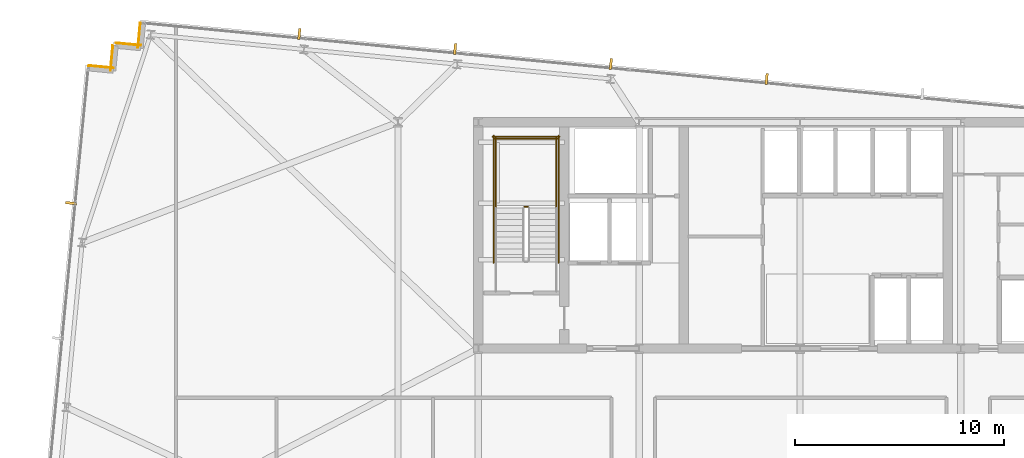
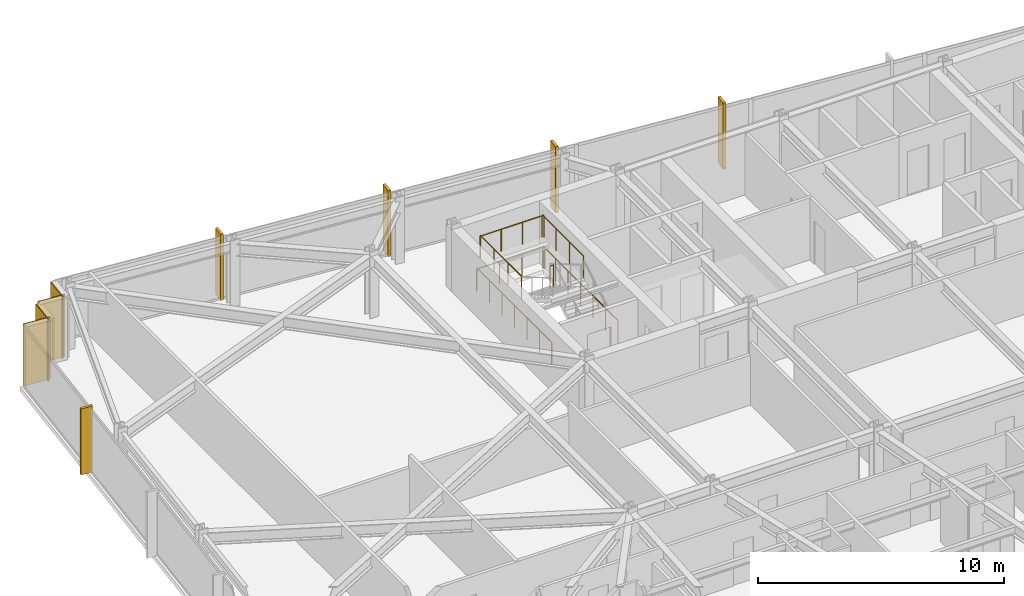
# One storey, part 36 of 37: 7 railings, 5 shading devices, 4 coverings.
"""IFC4 building model written with IfcOpenShell, lengths in metres."""

import ifcopenshell
import ifcopenshell.guid

model = None  # the IFC model being written
_history = None  # IfcOwnerHistory: only IFC2X3 demands one
_inside = {}  # id of a spatial element -> (the spatial element, [elements in it])
_under = {}  # id of a project, library or spatial element -> (it, [spatial elements below it])
_declared = {}  # id of a project -> (the project, [libraries it declares])
_typed = {}  # id of a type object -> (the type object, [elements of that type])
_made_of = {}  # id of a material, layer set ... -> (it, [elements and type objects made of it])


def new_model(schema):
    """Start an empty IFC model of exactly this schema.

    Asked for "IFC4X3", IfcOpenShell would pick the latest addendum, in which some entities
    have other attributes; the version numbers below select the first issue.
    IFC2X3 requires an IfcOwnerHistory on every rooted entity: one is made here for all.
    """
    global model, _history
    if schema == "IFC4X3":
        model = ifcopenshell.file(schema_version=(4, 3, 0, 0))
    else:
        model = ifcopenshell.file(schema=schema)
    _inside.clear()
    _under.clear()
    _declared.clear()
    _typed.clear()
    _made_of.clear()
    _history = None
    if model.schema == "IFC2X3":
        org = make("IfcOrganization", Name="unknown")
        user = make(
            "IfcPersonAndOrganization",
            ThePerson=make("IfcPerson", FamilyName="unknown"),
            TheOrganization=org,
        )
        app = make(
            "IfcApplication",
            ApplicationDeveloper=org,
            Version="unknown",
            ApplicationFullName="unknown",
            ApplicationIdentifier="unknown",
        )
        _history = make(
            "IfcOwnerHistory",
            OwningUser=user,
            OwningApplication=app,
            ChangeAction="ADDED",
            CreationDate=0,
        )
    return model


def make(cls, **values):
    """One entity of the class cls with the attributes given. An attribute that is None is left unset."""
    return model.create_entity(
        cls, **{name: value for name, value in values.items() if value is not None}
    )


def rooted(cls, **values):
    """An entity with a GlobalId (a new one), such as an element, a storey or a relation."""
    return make(cls, GlobalId=ifcopenshell.guid.new(), OwnerHistory=_history, **values)


def si_unit(unit_type, name, prefix=None):
    """IfcSIUnit, for example si_unit("LENGTHUNIT", "METRE", prefix="MILLI")."""
    return make("IfcSIUnit", UnitType=unit_type, Prefix=prefix, Name=name)


def assignment(units):
    """IfcUnitAssignment: the units of a project."""
    return None if units is None else make("IfcUnitAssignment", Units=units)


def point(xyz):
    """IfcCartesianPoint."""
    return None if xyz is None else make("IfcCartesianPoint", Coordinates=xyz)


def direction(xyz):
    """IfcDirection."""
    return None if xyz is None else make("IfcDirection", DirectionRatios=xyz)


def frame(location, z_axis=None, x_axis=None):
    """IfcAxis2Placement3D, a coordinate frame: its origin and axes. An axis left out is left unset."""
    return make(
        "IfcAxis2Placement3D",
        Location=point(location),
        Axis=direction(z_axis),
        RefDirection=direction(x_axis),
    )


def frame_2d(location, x_axis=None):
    """IfcAxis2Placement2D, a coordinate frame in the plane: its origin and x axis."""
    return make(
        "IfcAxis2Placement2D", Location=point(location), RefDirection=direction(x_axis)
    )


def origin():
    """The frame at (0, 0, 0) with its axes left unset."""
    return frame((0.0, 0.0, 0.0))


def origin_2d():
    """The frame at (0, 0) in the plane with its x axis left unset."""
    return frame_2d((0.0, 0.0))


def place(relative_to, where):
    """IfcLocalPlacement: puts the frame where relative to a parent placement (None: the world)."""
    return make(
        "IfcLocalPlacement", PlacementRelTo=relative_to, RelativePlacement=where
    )


def context(
    kind, dimensions, precision=None, world=None, true_north=None, identifier=None
):
    """IfcGeometricRepresentationContext, for example the 3D "Model" context."""
    return make(
        "IfcGeometricRepresentationContext",
        ContextIdentifier=identifier,
        ContextType=kind,
        CoordinateSpaceDimension=dimensions,
        Precision=precision,
        WorldCoordinateSystem=world,
        TrueNorth=true_north,
    )


def subcontext(parent, identifier, kind, view, scale=None):
    """IfcGeometricRepresentationSubContext, for example "Body" below "Model"."""
    return make(
        "IfcGeometricRepresentationSubContext",
        ContextIdentifier=identifier,
        ContextType=kind,
        ParentContext=parent,
        TargetScale=scale,
        TargetView=view,
    )


def project(units=None, contexts=None):
    """IfcProject with its units and contexts."""
    return rooted(
        "IfcProject",
        Name="project",
        RepresentationContexts=contexts,
        UnitsInContext=assignment(units),
    )


def spatial(cls, under=None, at=None, **own):
    """A site, building, storey or space (cls), placed at a placement, below another one or the project."""
    s = rooted(cls, ObjectPlacement=at, **own)
    if under is not None:
        _under.setdefault(under.id(), (under, []))[1].append(s)
    return s


def profile(cls, at=None, kind="AREA", **sizes):
    """A parametric profile (cls). Its sizes go by their IFC names, for example OverallWidth=200.0."""
    return make(cls, ProfileType=kind, Position=at, **sizes)


def rectangle(**sizes):
    """IfcRectangleProfileDef."""
    return profile("IfcRectangleProfileDef", **sizes)


def circle(**sizes):
    """IfcCircleProfileDef."""
    return profile("IfcCircleProfileDef", **sizes)


def extrude(swept, where, along, depth):
    """IfcExtrudedAreaSolid: the profile swept, set in the frame where, extruded along a direction by depth."""
    return make(
        "IfcExtrudedAreaSolid",
        SweptArea=swept,
        Position=where,
        ExtrudedDirection=direction(along),
        Depth=depth,
    )


def shape(context_of_items, identifier, shape_type, items):
    """IfcShapeRepresentation: the items that make up one representation, for example the "Body"."""
    return make(
        "IfcShapeRepresentation",
        ContextOfItems=context_of_items,
        RepresentationIdentifier=identifier,
        RepresentationType=shape_type,
        Items=items,
    )


def material(Name=None, Category=None):
    """IfcMaterial."""
    return make("IfcMaterial", Name=Name, Category=Category)


def layer(
    of_material, thickness, ventilated=None, Name=None, Category=None, Priority=None
):
    """IfcMaterialLayer: one layer of a wall or slab, of a material (None: an air gap)."""
    return make(
        "IfcMaterialLayer",
        Material=of_material,
        LayerThickness=thickness,
        IsVentilated=ventilated,
        Name=Name,
        Category=Category,
        Priority=Priority,
    )


def layer_set(layers, Name=None):
    """IfcMaterialLayerSet."""
    return make("IfcMaterialLayerSet", MaterialLayers=layers, LayerSetName=Name)


def made_of(thing, what):
    """Note that an element or type object is made of a material, layer set ...; save() writes the relation."""
    if what is not None:
        _made_of.setdefault(what.id(), (what, []))[1].append(thing)
    return thing


def type_object(cls, material=None, **own):
    """A type object (cls), such as IfcWallType, which elements share."""
    return made_of(rooted(cls, **own), material)


def element(
    cls,
    number,
    at=None,
    inside=None,
    cuts=None,
    type_object=None,
    material=None,
    context=None,
    identifier="Body",
    shape_type=None,
    held_by="IfcProductDefinitionShape",
    body=None,
    shapes=None,
    **own,
):
    """One element of the class cls, such as IfcWall. Its Tag is "e" and its number.

    at: its placement. inside: the storey or other place that contains it. cuts: it is an
    opening in that element (IfcRelVoidsElement). A single representation is given by context,
    identifier, shape_type and body (its items); several are given by shapes. held_by: the class
    of the entity that holds the representations. save() writes the other relations.
    """
    e = rooted(cls, Tag="e%d" % number, ObjectPlacement=at, **own)
    if body is not None:
        shapes = [shape(context, identifier, shape_type, body)]
    if shapes is not None:
        e.Representation = make(held_by, Representations=shapes)
    if inside is not None:
        _inside.setdefault(inside.id(), (inside, []))[1].append(e)
    if cuts is not None:
        rooted(
            "IfcRelVoidsElement", RelatingBuildingElement=cuts, RelatedOpeningElement=e
        )
    if type_object is not None:
        _typed.setdefault(type_object.id(), (type_object, []))[1].append(e)
    return made_of(e, material)


def aggregate(whole, parts):
    """IfcRelAggregates: a whole, such as a stair, and the parts it consists of."""
    return rooted("IfcRelAggregates", RelatingObject=whole, RelatedObjects=parts)


def save(model, path):
    """Write the relations noted so far, then the file.

    IfcRelAggregates (storeys below a building ...), IfcRelContainedInSpatialStructure (elements
    in a storey), IfcRelDefinesByType, IfcRelAssociatesMaterial and IfcRelDeclares: one each for
    every whole, place, type object, material and project.
    """
    for whole, parts in _under.values():
        aggregate(whole, parts)
    for where, things in _inside.values():
        rooted(
            "IfcRelContainedInSpatialStructure",
            RelatedElements=things,
            RelatingStructure=where,
        )
    for kind, things in _typed.values():
        rooted("IfcRelDefinesByType", RelatedObjects=things, RelatingType=kind)
    for what, things in _made_of.values():
        rooted("IfcRelAssociatesMaterial", RelatedObjects=things, RelatingMaterial=what)
    for by, libraries in _declared.values():
        rooted("IfcRelDeclares", RelatingContext=by, RelatedDefinitions=libraries)
    model.write(path)


model = new_model("IFC4")

# Units and contexts
model_context = context("Model", 3, precision=1e-05, world=origin(), true_north=direction((0.0, 1.0)))
body_context = subcontext(model_context, "Body", "Model", "MODEL_VIEW")
ifc_project = project(units=[si_unit("LENGTHUNIT", "METRE"), si_unit("AREAUNIT", "SQUARE_METRE"), si_unit("VOLUMEUNIT", "CUBIC_METRE"), si_unit("PLANEANGLEUNIT", "RADIAN"), si_unit("MASSUNIT", "GRAM", prefix="KILO")], contexts=[model_context])

# Site, building, storey
site_placement = place(None, origin())
site = spatial("IfcSite", under=ifc_project, at=site_placement, CompositionType="ELEMENT")
building_placement = place(site_placement, origin())
building = spatial("IfcBuilding", under=site, at=building_placement, Name="Yelkora Congress Tower", CompositionType="ELEMENT")
storey_placement = place(building_placement, frame((0.0, 0.0, 165.5)))
storey = spatial("IfcBuildingStorey", under=building, at=storey_placement, Name="L45", CompositionType="ELEMENT", Elevation=165.5)

# Coverings
ifc_material_1 = material(Name="Anatolian bush-hammered limestone", Category="masonry")
ifc_layer_1 = layer(ifc_material_1, 0.0400390625)
ifc_layer_set_1 = layer_set([ifc_layer_1], Name="Anatolian bush-hammered limestone")
covering_type = type_object("IfcCoveringType", Name="COV-CLAD-SPANDREL-40", PredefinedType="CLADDING", material=ifc_layer_set_1)
for number, where, z_axis, x_axis, name in (
    (1, (4.423583984375, 48.9130859375, 0.0), (0.0, 0.0, 1.0), (0.995398960025, -0.095817067274, 0.0), "L45 Anatolian Limestone Cladding EW-L45-SR06"),
    (2, (5.470703125, 48.676513671875, 0.0), (0.0, 0.0, 1.0), (0.095817067274, 0.995398960025, 0.0), "L45 Anatolian Limestone Cladding EW-L45-SR07"),
):
    element("IfcCovering", number, at=place(storey_placement, frame(where, z_axis=z_axis, x_axis=x_axis)), inside=storey, type_object=covering_type, Name=name, PredefinedType="CLADDING", context=body_context, shape_type="SweptSolid", body=[
        extrude(rectangle(XDim=1.2001953125, YDim=0.0400390625, at=frame_2d((0.60009765625, 0.0))), origin(), (0.0, 0.0, 1.0), 3.080078125),
    ])
covering_1_placement = place(storey_placement, frame((5.733154296875, 49.992431640625, 0.0), z_axis=(0.0, 0.0, 1.0), x_axis=(0.995397091755, -0.095836473879, 0.0)))
element("IfcCovering", 3, at=covering_1_placement, inside=storey, type_object=covering_type, Name="L45 Anatolian Limestone Cladding EW-L45-SR08", PredefinedType="CLADDING", context=body_context, shape_type="SweptSolid", body=[
    extrude(rectangle(XDim=1.199951171875, YDim=0.0400390625, at=frame_2d((0.60009765625, 0.0))), origin(), (0.0, 0.0, 1.0), 3.080078125),
])
covering_2_placement = place(storey_placement, frame((6.780029296875, 49.756103515625, 0.0), z_axis=(0.0, 0.0, 1.0), x_axis=(0.096018626938, 0.995379537303, 0.0)))
element("IfcCovering", 4, at=covering_2_placement, inside=storey, type_object=covering_type, Name="L45 Anatolian Limestone Cladding EW-L45-SR09", PredefinedType="CLADDING", context=body_context, shape_type="SweptSolid", body=[
    extrude(rectangle(XDim=1.2001953125, YDim=0.0400390625, at=frame_2d((0.60009765625, 0.0))), origin(), (0.0, 0.0, 1.0), 3.080078125),
])

# Railings
ifc_material_2 = material(Name="Painted galvanised steel stair well guard with vertical infill", Category="steel")
ifc_layer_2 = layer(ifc_material_2, 0.06005859375)
ifc_layer_set_2 = layer_set([ifc_layer_2], Name="Painted galvanised steel stair well guard with vertical infill")
railing_type = type_object("IfcRailingType", Name="RAIL-STAIR-GUARD-1120", PredefinedType="GUARDRAIL", material=ifc_layer_set_2)
railing_1_placement = place(storey_placement, frame((25.39990234375, 42.169921875, 1.64990234375)))
element("IfcRailing", 5, at=railing_1_placement, inside=storey, type_object=railing_type, Name="ST-01 L45 Stair Well Guardrail 2", PredefinedType="GUARDRAIL", context=body_context, shape_type="SweptSolid", body=[
    extrude(circle(Radius=0.02392578125, at=origin_2d()), frame((0.0, 0.0, 1.09619140625), z_axis=(-1.0, 0.0, 0.0), x_axis=(0.0, -1.0, 0.0)), (0.0, 0.0, 1.0), 0.159912109375),
    extrude(circle(Radius=0.02099609375, at=origin_2d()), origin(), (0.0, 0.0, 1.0), 1.072021484375),
    extrude(circle(Radius=0.02099609375, at=origin_2d()), frame((-0.159912109375, 0.0, 0.0)), (0.0, 0.0, 1.0), 1.072021484375),
])
for number, where, name in (
    (6, (26.77001953125, 42.1201171875, 1.64990234375), "ST-01 L45 Stair Well Guardrail 3"),
    (7, (23.8701171875, 42.1201171875, 1.64990234375), "ST-01 L45 Stair Well Guardrail 4"),
):
    element("IfcRailing", number, at=place(storey_placement, frame(where)), inside=storey, type_object=railing_type, Name=name, PredefinedType="GUARDRAIL", context=body_context, shape_type="SweptSolid", body=[
        extrude(circle(Radius=0.02392578125, at=origin_2d()), frame((0.0, 0.0, 1.09619140625), z_axis=(0.0, 1.0, 0.0), x_axis=(-1.0, 0.0, 0.0)), (0.0, 0.0, 1.0), 3.349853515625),
        extrude(circle(Radius=0.02099609375, at=origin_2d()), origin(), (0.0, 0.0, 1.0), 1.072021484375),
        extrude(circle(Radius=0.02099609375, at=origin_2d()), frame((0.0, 1.11669921875, 0.0)), (0.0, 0.0, 1.0), 1.072021484375),
        extrude(circle(Radius=0.02099609375, at=origin_2d()), frame((0.0, 2.233154296875, 0.0)), (0.0, 0.0, 1.0), 1.072021484375),
        extrude(circle(Radius=0.02099609375, at=origin_2d()), frame((0.0, 3.349853515625, 0.0)), (0.0, 0.0, 1.0), 1.072021484375),
    ])
railing_2_placement = place(storey_placement, frame((26.820068359375, 45.419921875, 1.64990234375)))
element("IfcRailing", 8, at=railing_2_placement, inside=storey, type_object=railing_type, Name="ST-01 L45 Stair Well Guardrail 5", PredefinedType="GUARDRAIL", context=body_context, shape_type="SweptSolid", body=[
    extrude(circle(Radius=0.02392578125, at=origin_2d()), frame((0.0, 0.0, 1.09619140625), z_axis=(-1.0, 0.0, 0.0), x_axis=(0.0, -1.0, 0.0)), (0.0, 0.0, 1.0), 3.0),
    extrude(circle(Radius=0.02099609375, at=origin_2d()), origin(), (0.0, 0.0, 1.0), 1.072021484375),
    extrude(circle(Radius=0.02099609375, at=origin_2d()), frame((-1.0, 0.0, 0.0)), (0.0, 0.0, 1.0), 1.072021484375),
    extrude(circle(Radius=0.02099609375, at=origin_2d()), frame((-2.0, 0.0, 0.0)), (0.0, 0.0, 1.0), 1.072021484375),
    extrude(circle(Radius=0.02099609375, at=origin_2d()), frame((-3.0, 0.0, 0.0)), (0.0, 0.0, 1.0), 1.072021484375),
])
for number, where, name in (
    (9, (26.8701171875, 39.5, 0.0), "ST-01 L45 Stair Well Guardrail 10"),
    (10, (23.77001953125, 39.5, 0.0), "ST-01 L45 Stair Well Guardrail 11"),
):
    element("IfcRailing", number, at=place(storey_placement, frame(where)), inside=storey, type_object=railing_type, Name=name, PredefinedType="GUARDRAIL", context=body_context, shape_type="SweptSolid", body=[
        extrude(circle(Radius=0.02392578125, at=origin_2d()), frame((0.0, 0.0, 1.09619140625), z_axis=(0.0, 1.0, 0.0), x_axis=(-1.0, 0.0, 0.0)), (0.0, 0.0, 1.0), 6.070068359375),
        extrude(circle(Radius=0.02099609375, at=origin_2d()), origin(), (0.0, 0.0, 1.0), 1.072021484375),
        extrude(circle(Radius=0.02099609375, at=origin_2d()), frame((0.0, 1.01171875, 0.0)), (0.0, 0.0, 1.0), 1.072021484375),
        extrude(circle(Radius=0.02099609375, at=origin_2d()), frame((0.0, 2.0234375, 0.0)), (0.0, 0.0, 1.0), 1.072021484375),
        extrude(circle(Radius=0.02099609375, at=origin_2d()), frame((0.0, 3.03515625, 0.0)), (0.0, 0.0, 1.0), 1.072021484375),
        extrude(circle(Radius=0.02099609375, at=origin_2d()), frame((0.0, 4.046630859375, 0.0)), (0.0, 0.0, 1.0), 1.072021484375),
        extrude(circle(Radius=0.02099609375, at=origin_2d()), frame((0.0, 5.058349609375, 0.0)), (0.0, 0.0, 1.0), 1.072021484375),
        extrude(circle(Radius=0.02099609375, at=origin_2d()), frame((0.0, 6.070068359375, 0.0)), (0.0, 0.0, 1.0), 1.072021484375),
    ])
railing_3_placement = place(storey_placement, frame((26.919921875, 45.52001953125, 0.0)))
element("IfcRailing", 11, at=railing_3_placement, inside=storey, type_object=railing_type, Name="ST-01 L45 Stair Well Guardrail 12", PredefinedType="GUARDRAIL", context=body_context, shape_type="SweptSolid", body=[
    extrude(circle(Radius=0.02392578125, at=origin_2d()), frame((0.0, 0.0, 1.09619140625), z_axis=(-1.0, 0.0, 0.0), x_axis=(0.0, -1.0, 0.0)), (0.0, 0.0, 1.0), 3.199951171875),
    extrude(circle(Radius=0.02099609375, at=origin_2d()), origin(), (0.0, 0.0, 1.0), 1.072021484375),
    extrude(circle(Radius=0.02099609375, at=origin_2d()), frame((-1.066650390625, 0.0, 0.0)), (0.0, 0.0, 1.0), 1.072021484375),
    extrude(circle(Radius=0.02099609375, at=origin_2d()), frame((-2.13330078125, 0.0, 0.0)), (0.0, 0.0, 1.0), 1.072021484375),
    extrude(circle(Radius=0.02099609375, at=origin_2d()), frame((-3.199951171875, 0.0, 0.0)), (0.0, 0.0, 1.0), 1.072021484375),
])

# Shading devices
ifc_material_3 = material(Name="Champagne anodised aluminium", Category="aluminium")
ifc_layer_3 = layer(ifc_material_3, 3.300048828125)
ifc_layer_set_3 = layer_set([ifc_layer_3], Name="Champagne anodised aluminium")
shading_device_type = type_object("IfcShadingDeviceType", Name="SHD-FIN-ALU-520", PredefinedType="USERDEFINED", material=ifc_layer_set_3)
for number, where, z_axis, x_axis, name in (
    (12, (3.590087890625, 42.34375, -0.02978515625), (0.0, 0.0, 1.0), (0.09584575252, 0.995396198367, 0.0), "L45 Vertical Anodised Solar Fin 5-4"),
    (13, (14.48876953125, 50.42041015625, -0.02978515625), (0.0, 0.0, 1.0), (0.995396198367, -0.09584575252, 0.0), "L45 Vertical Anodised Solar Fin 10-1"),
    (14, (21.928466796875, 49.703857421875, -0.02978515625), (0.0, 0.0, 1.0), (0.995396198367, -0.09584575252, 0.0), "L45 Vertical Anodised Solar Fin 10-2"),
    (15, (29.368408203125, 48.987548828125, -0.02978515625), (0.0, 0.0, 1.0), (0.995396198367, -0.09584575252, 0.0), "L45 Vertical Anodised Solar Fin 10-3"),
    (16, (36.808349609375, 48.271240234375, -0.02978515625), (0.0, 0.0, 1.0), (0.995396198367, -0.09584575252, 0.0), "L45 Vertical Anodised Solar Fin 10-4"),
):
    element("IfcShadingDevice", number, at=place(storey_placement, frame(where, z_axis=z_axis, x_axis=x_axis)), inside=storey, type_object=shading_device_type, Name=name, ObjectType="FIN", PredefinedType="USERDEFINED", context=body_context, shape_type="SweptSolid", body=[
        extrude(rectangle(XDim=0.1201171875, YDim=0.52001953125, at=origin_2d()), origin(), (0.0, 0.0, 1.0), 3.280029296875),
    ])

save(model, "model.ifc")
